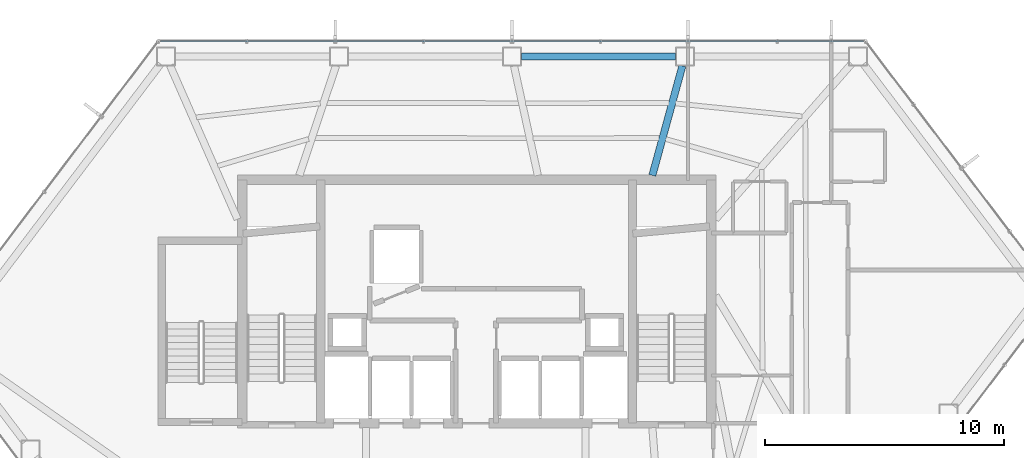
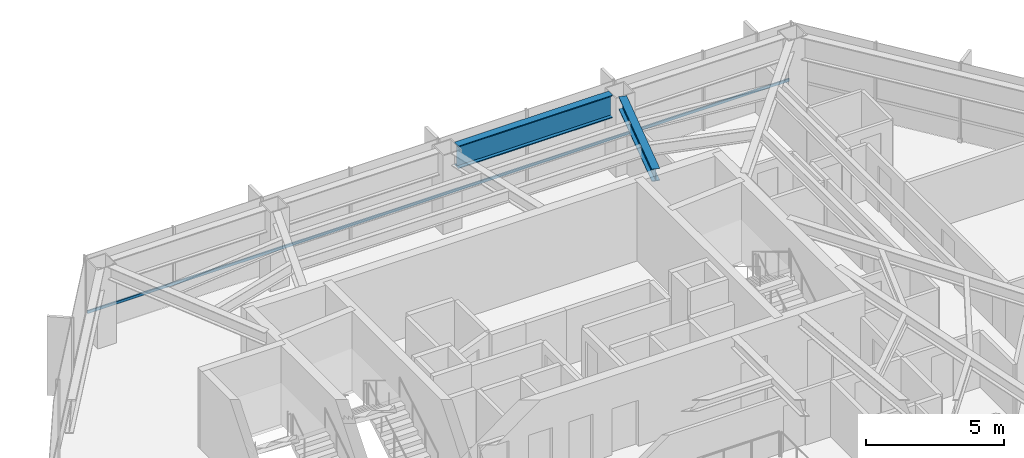
# One storey, part 14 of 28: 2 beams, 1 member, 1 element without a shape of its own.
"""IFC4 building model written with IfcOpenShell, lengths in metres."""

from ifc_helpers import new_model, si_unit, direction, frame, origin, origin_2d, place, context, subcontext, project, spatial, hollow_rectangle, i_section, extrude, material, layer, layer_set, material_profile, profile_set, type_object, element, aggregate, save


model = new_model("IFC4")

# Units and contexts
model_context = context("Model", 3, precision=1e-05, world=origin(), true_north=direction((0.0, 1.0)))
body_context = subcontext(model_context, "Body", "Model", "MODEL_VIEW")
ifc_project = project(units=[si_unit("LENGTHUNIT", "METRE"), si_unit("AREAUNIT", "SQUARE_METRE"), si_unit("VOLUMEUNIT", "CUBIC_METRE"), si_unit("PLANEANGLEUNIT", "RADIAN"), si_unit("MASSUNIT", "GRAM", prefix="KILO")], contexts=[model_context])

# Site, building, storey
site_placement = place(None, origin())
site = spatial("IfcSite", under=ifc_project, at=site_placement, CompositionType="ELEMENT")
building_placement = place(site_placement, origin())
building = spatial("IfcBuilding", under=site, at=building_placement, Name="Zarrinselat Tower", CompositionType="ELEMENT")
storey_placement = place(building_placement, frame((0.0, 0.0, 127.159912109375)))
storey = spatial("IfcBuildingStorey", under=building, at=storey_placement, Name="L30", CompositionType="ELEMENT", Elevation=127.159912109375)

# Beams
ifc_material_1 = material(Name="Steel S355J2", Category="steel")
ifc_material_profile_1 = material_profile(ifc_material_1, i_section(OverallWidth=0.300048828125, OverallDepth=0.550048828125, WebThickness=0.014892578125, FlangeThickness=0.029052734375, at=origin_2d()), Name="HEB 550")
ifc_profile_set_1 = profile_set([ifc_material_profile_1], Name="Steel S355J2")
beam_type_1 = type_object("IfcBeamType", Name="BM-HEB550", PredefinedType="BEAM", material=ifc_profile_set_1)
beam_1_placement = place(storey_placement, frame((45.800048828125, 43.639892578125, 3.22509765625), z_axis=(0.264528008887, 0.964378002919, 0.0), x_axis=(-0.964378002919, 0.264528008887, 0.0)))
element("IfcBeam", 1, at=beam_1_placement, inside=storey, type_object=beam_type_1, Name="L30 Radial Primary Girder RG02", PredefinedType="BEAM", context=body_context, shape_type="SweptSolid", body=[
    extrude(i_section(OverallWidth=0.300048828125, OverallDepth=0.550048828125, WebThickness=0.014892578125, FlangeThickness=0.029052734375, at=origin_2d()), origin(), (0.0, 0.0, 1.0), 4.758544921875),
])
ifc_material_2 = material(Name="Steel S460M", Category="steel")
ifc_material_profile_2 = material_profile(ifc_material_2, i_section(OverallWidth=0.302001953125, OverallDepth=1.008056640625, WebThickness=0.02099609375, FlangeThickness=0.0400390625, at=origin_2d()), Name="HEM 1000")
ifc_profile_set_2 = profile_set([ifc_material_profile_2], Name="Steel S460M")
beam_type_2 = type_object("IfcBeamType", Name="BM-HEM1000", PredefinedType="BEAM", material=ifc_profile_set_2)
beam_2_placement = place(storey_placement, frame((40.3037109375, 48.61669921875, 2.99609375), z_axis=(1.0, 0.0, 0.0), x_axis=(0.0, 1.0, 0.0)))
element("IfcBeam", 2, at=beam_2_placement, inside=storey, type_object=beam_type_2, Name="L30 Perimeter Spandrel Girder SP02", PredefinedType="BEAM", context=body_context, shape_type="SweptSolid", body=[
    extrude(i_section(OverallWidth=0.302001953125, OverallDepth=1.008056640625, WebThickness=0.02099609375, FlangeThickness=0.0400390625, at=origin_2d()), origin(), (0.0, 0.0, 1.0), 6.473388671875),
])

# Curtain wall, member
ifc_material_3 = material(Name="Extruded Aluminium Alloy EN AW-6063 T6", Category="aluminium")
ifc_layer = layer(ifc_material_3, 0.175048828125)
ifc_layer_set = layer_set([ifc_layer], Name="Extruded Aluminium Alloy EN AW-6063 T6")
curtain_wall_type = type_object("IfcCurtainWallType", Name="CWS-HTL", PredefinedType="NOTDEFINED", material=ifc_layer_set)
curtain_wall_placement = place(storey_placement, origin())
curtain_wall = element("IfcCurtainWall", 3, at=curtain_wall_placement, inside=storey, type_object=curtain_wall_type, Name="L30 Unitised Curtain Wall CW-L30-E01", PredefinedType="NOTDEFINED")
ifc_material_4 = material(Name="Extruded Aluminium Alloy EN AW-6063 T6", Category="aluminium")
ifc_material_profile_3 = material_profile(ifc_material_4, hollow_rectangle(XDim=0.06005859375, YDim=0.1201171875, WallThickness=0.00390625, at=origin_2d()), Name="RHS 120x60x4")
ifc_profile_set_3 = profile_set([ifc_material_profile_3], Name="Extruded Aluminium Alloy EN AW-6063 T6")
member_type = type_object("IfcMemberType", Name="MEM-CW-TRN2", PredefinedType="USERDEFINED", material=ifc_profile_set_3)
member_placement = place(storey_placement, frame((54.647705078125, 49.2666015625, 0.9501953125), z_axis=(-1.0, 0.0, 0.0), x_axis=(0.0, -1.0, 0.0)))
member = element("IfcMember", 4, at=member_placement, type_object=member_type, Name="CW-L30-E01 Transom 1", ObjectType="TRANSOM", PredefinedType="USERDEFINED", context=body_context, shape_type="SweptSolid", body=[
    extrude(hollow_rectangle(XDim=0.06005859375, YDim=0.1201171875, WallThickness=0.00390625, at=origin_2d()), origin(), (0.0, 0.0, 1.0), 29.464111328125),
])
aggregate(curtain_wall, [member])

save(model, "model.ifc")
